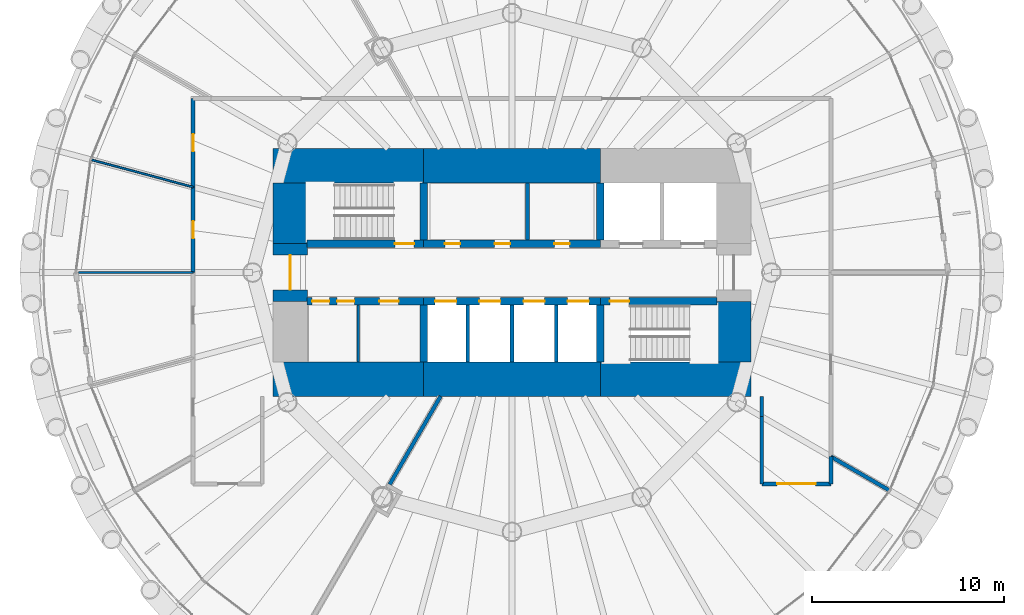
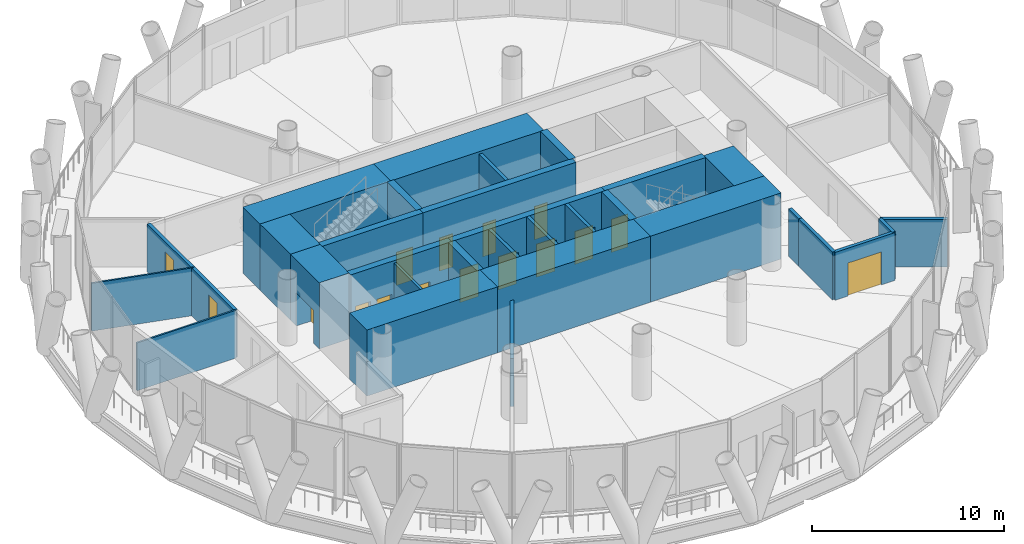
# One storey, part 9 of 14: 32 walls, 16 doors, 16 openings.
"""IFC4 building model written with IfcOpenShell, lengths in metres."""

from ifc_helpers import new_model, si_unit, direction, frame, frame_2d, origin, place, context, subcontext, project, spatial, rectangle, extrude, material, layer, layer_set, type_object, element, fill, save


model = new_model("IFC4")

# Units and contexts
model_context = context("Model", 3, precision=1e-05, world=origin(), true_north=direction((0.0, 1.0)))
body_context = subcontext(model_context, "Body", "Model", "MODEL_VIEW")
ifc_project = project(units=[si_unit("LENGTHUNIT", "METRE"), si_unit("AREAUNIT", "SQUARE_METRE"), si_unit("VOLUMEUNIT", "CUBIC_METRE"), si_unit("PLANEANGLEUNIT", "RADIAN"), si_unit("MASSUNIT", "GRAM", prefix="KILO")], contexts=[model_context])

# Site, building, storey
site_placement = place(None, origin())
site = spatial("IfcSite", under=ifc_project, at=site_placement, CompositionType="ELEMENT")
building_placement = place(site_placement, origin())
building = spatial("IfcBuilding", under=site, at=building_placement, Name="Qaws Media Tower", CompositionType="ELEMENT")
storey_placement = place(building_placement, frame((0.0, 0.0, 126.800048828125)))
storey = spatial("IfcBuildingStorey", under=building, at=storey_placement, Name="L28", CompositionType="ELEMENT", Elevation=126.800048828125)

# Wall, opening, door
ifc_material_1 = material(Name="Concrete C60/75", Category="concrete")
ifc_layer_1 = layer(ifc_material_1, 0.39990234375)
ifc_layer_set_1 = layer_set([ifc_layer_1], Name="Core inner wall 400")
wall_type_1 = type_object("IfcWallType", Name="Core inner wall 400", PredefinedType="SHEAR", material=ifc_layer_set_1)
wall_1_placement = place(storey_placement, frame((49.330078125, 51.5, 0.0), z_axis=(0.0, 0.0, 1.0), x_axis=(1.0, 0.0, 0.0)))
wall_1 = element("IfcWall", 1, at=wall_1_placement, inside=storey, type_object=wall_type_1, Name="W321 SW4 core wall SPNW L28", PredefinedType="SHEAR", context=body_context, shape_type="SweptSolid", body=[
    extrude(rectangle(XDim=6.06982421875, YDim=0.39990234375, at=frame_2d((3.034912109375, 0.0))), origin(), (0.0, 0.0, 1.0), 4.199951171875),
])
opening_1_placement = place(wall_1_placement, frame((4.570068359375, 0.0, 0.0)))
opening_1 = element("IfcOpeningElement", 2, at=opening_1_placement, cuts=wall_1, Name="Opening D1", PredefinedType="OPENING", context=body_context, shape_type="SweptSolid", body=[
    extrude(rectangle(XDim=1.0, YDim=2.10009765625, at=frame_2d((0.5, 1.050048828125))), frame((0.0, 0.2099609375, 0.0), z_axis=(0.0, -1.0, 0.0), x_axis=(1.0, 0.0, 0.0)), (0.0, 0.0, 1.0), 0.419921875),
])
ifc_material_2 = material(Name="Steel, fire rated", Category="steel")
door_type_1 = type_object("IfcDoorType", Name="Stair door 1000 FD120", OperationType="SINGLE_SWING_LEFT", PredefinedType="DOOR", material=ifc_material_2)
door_1_placement = place(opening_1_placement, origin())
door_1 = element("IfcDoor", 3, at=door_1_placement, inside=storey, type_object=door_type_1, Name="D1 stair S1 door L28 in wall W321", OperationType="SINGLE_SWING_LEFT", OverallHeight=2.10009765625, OverallWidth=1.0, PredefinedType="DOOR", context=body_context, shape_type="SweptSolid", body=[
    extrude(rectangle(XDim=1.0, YDim=2.10009765625, at=frame_2d((0.5, 1.050048828125))), frame((0.0, 0.02490234375, 0.0), z_axis=(0.0, -1.0, 0.0), x_axis=(1.0, 0.0, 0.0)), (0.0, 0.0, 1.0), 0.050048828125),
])
fill(opening_1, door_1)

# Wall, openings, doors
wall_2_placement = place(storey_placement, frame((55.39990234375, 51.5, 0.0), z_axis=(0.0, 0.0, 1.0), x_axis=(1.0, 0.0, 0.0)))
wall_2 = element("IfcWall", 4, at=wall_2_placement, inside=storey, type_object=wall_type_1, Name="W314 SW4 core wall SPN L28", PredefinedType="SHEAR", context=body_context, shape_type="SweptSolid", body=[
    extrude(rectangle(XDim=9.2001953125, YDim=0.39990234375, at=frame_2d((4.60009765625, 0.0))), origin(), (0.0, 0.0, 1.0), 4.199951171875),
])
opening_2_placement = place(wall_2_placement, frame((1.10009765625, 0.0, 0.0)))
opening_2 = element("IfcOpeningElement", 5, at=opening_2_placement, cuts=wall_2, Name="Opening D23", PredefinedType="OPENING", context=body_context, shape_type="SweptSolid", body=[
    extrude(rectangle(XDim=0.800048828125, YDim=2.10009765625, at=frame_2d((0.39990234375, 1.050048828125))), frame((0.0, 0.2099609375, 0.0), z_axis=(0.0, -1.0, 0.0), x_axis=(1.0, 0.0, 0.0)), (0.0, 0.0, 1.0), 0.419921875),
])
opening_3_placement = place(wall_2_placement, frame((3.699951171875, 0.0, 0.0)))
opening_3 = element("IfcOpeningElement", 6, at=opening_3_placement, cuts=wall_2, Name="Opening D23", PredefinedType="OPENING", context=body_context, shape_type="SweptSolid", body=[
    extrude(rectangle(XDim=0.800048828125, YDim=2.10009765625, at=frame_2d((0.39990234375, 1.050048828125))), frame((0.0, 0.2099609375, 0.0), z_axis=(0.0, -1.0, 0.0), x_axis=(1.0, 0.0, 0.0)), (0.0, 0.0, 1.0), 0.419921875),
])
opening_4_placement = place(wall_2_placement, frame((6.800048828125, 0.0, 0.0)))
opening_4 = element("IfcOpeningElement", 7, at=opening_4_placement, cuts=wall_2, Name="Opening D23", PredefinedType="OPENING", context=body_context, shape_type="SweptSolid", body=[
    extrude(rectangle(XDim=0.800048828125, YDim=2.10009765625, at=frame_2d((0.39990234375, 1.050048828125))), frame((0.0, 0.2099609375, 0.0), z_axis=(0.0, -1.0, 0.0), x_axis=(1.0, 0.0, 0.0)), (0.0, 0.0, 1.0), 0.419921875),
])
ifc_material_3 = material(Name="Steel, fire rated", Category="steel")
door_type_2 = type_object("IfcDoorType", Name="Core room door 800x2100", OperationType="SINGLE_SWING_LEFT", PredefinedType="DOOR", material=ifc_material_3)
door_2_placement = place(opening_2_placement, origin())
door_2 = element("IfcDoor", 8, at=door_2_placement, inside=storey, type_object=door_type_2, Name="D23 Gents toilets door L28 1 in wall W314", OperationType="SINGLE_SWING_LEFT", OverallHeight=2.10009765625, OverallWidth=0.800048828125, PredefinedType="DOOR", context=body_context, shape_type="SweptSolid", body=[
    extrude(rectangle(XDim=0.800048828125, YDim=2.10009765625, at=frame_2d((0.39990234375, 1.050048828125))), frame((0.0, 0.02490234375, 0.0), z_axis=(0.0, -1.0, 0.0), x_axis=(1.0, 0.0, 0.0)), (0.0, 0.0, 1.0), 0.050048828125),
])
fill(opening_2, door_2)
door_3_placement = place(opening_3_placement, origin())
door_3 = element("IfcDoor", 9, at=door_3_placement, inside=storey, type_object=door_type_2, Name="D23 Gents toilets door L28 2 in wall W314", OperationType="SINGLE_SWING_LEFT", OverallHeight=2.10009765625, OverallWidth=0.800048828125, PredefinedType="DOOR", context=body_context, shape_type="SweptSolid", body=[
    extrude(rectangle(XDim=0.800048828125, YDim=2.10009765625, at=frame_2d((0.39990234375, 1.050048828125))), frame((0.0, 0.02490234375, 0.0), z_axis=(0.0, -1.0, 0.0), x_axis=(1.0, 0.0, 0.0)), (0.0, 0.0, 1.0), 0.050048828125),
])
fill(opening_3, door_3)
door_4_placement = place(opening_4_placement, origin())
door_4 = element("IfcDoor", 10, at=door_4_placement, inside=storey, type_object=door_type_2, Name="D23 Ladies toilets door L28 in wall W314", OperationType="SINGLE_SWING_LEFT", OverallHeight=2.10009765625, OverallWidth=0.800048828125, PredefinedType="DOOR", context=body_context, shape_type="SweptSolid", body=[
    extrude(rectangle(XDim=0.800048828125, YDim=2.10009765625, at=frame_2d((0.39990234375, 1.050048828125))), frame((0.0, 0.02490234375, 0.0), z_axis=(0.0, -1.0, 0.0), x_axis=(1.0, 0.0, 0.0)), (0.0, 0.0, 1.0), 0.050048828125),
])
fill(opening_4, door_4)

wall_3_placement = place(storey_placement, frame((49.330078125, 48.5, 0.0), z_axis=(0.0, 0.0, 1.0), x_axis=(1.0, 0.0, 0.0)))
wall_3 = element("IfcWall", 11, at=wall_3_placement, inside=storey, type_object=wall_type_1, Name="W320 SW4 core wall SPSW L28", PredefinedType="SHEAR", context=body_context, shape_type="SweptSolid", body=[
    extrude(rectangle(XDim=6.06982421875, YDim=0.39990234375, at=frame_2d((3.034912109375, 0.0))), origin(), (0.0, 0.0, 1.0), 4.199951171875),
])
opening_5_placement = place(wall_3_placement, frame((0.27001953125, 0.0, 0.0)))
opening_5 = element("IfcOpeningElement", 12, at=opening_5_placement, cuts=wall_3, Name="Opening D3", PredefinedType="OPENING", context=body_context, shape_type="SweptSolid", body=[
    extrude(rectangle(XDim=0.89990234375, YDim=2.10009765625, at=frame_2d((0.449951171875, 1.050048828125))), frame((0.0, 0.2099609375, 0.0), z_axis=(0.0, -1.0, 0.0), x_axis=(1.0, 0.0, 0.0)), (0.0, 0.0, 1.0), 0.419921875),
])
opening_6_placement = place(wall_3_placement, frame((1.570068359375, 0.0, 0.0)))
opening_6 = element("IfcOpeningElement", 13, at=opening_6_placement, cuts=wall_3, Name="Opening D3", PredefinedType="OPENING", context=body_context, shape_type="SweptSolid", body=[
    extrude(rectangle(XDim=0.89990234375, YDim=2.10009765625, at=frame_2d((0.449951171875, 1.050048828125))), frame((0.0, 0.2099609375, 0.0), z_axis=(0.0, -1.0, 0.0), x_axis=(1.0, 0.0, 0.0)), (0.0, 0.0, 1.0), 0.419921875),
])
opening_7_placement = place(wall_3_placement, frame((3.77001953125, 0.0, 0.0)))
opening_7 = element("IfcOpeningElement", 14, at=opening_7_placement, cuts=wall_3, Name="Opening D4", PredefinedType="OPENING", context=body_context, shape_type="SweptSolid", body=[
    extrude(rectangle(XDim=1.0, YDim=2.10009765625, at=frame_2d((0.5, 1.050048828125))), frame((0.0, 0.2099609375, 0.0), z_axis=(0.0, -1.0, 0.0), x_axis=(1.0, 0.0, 0.0)), (0.0, 0.0, 1.0), 0.419921875),
])
ifc_material_4 = material(Name="Timber veneered", Category="wood")
door_type_3 = type_object("IfcDoorType", Name="Accessible WC door 1000", OperationType="SLIDING_TO_LEFT", PredefinedType="DOOR", material=ifc_material_4)
door_5_placement = place(opening_7_placement, origin())
door_5 = element("IfcDoor", 15, at=door_5_placement, inside=storey, type_object=door_type_3, Name="D4 toilet door 3 L28 in wall W320", OperationType="SLIDING_TO_LEFT", OverallHeight=2.10009765625, OverallWidth=1.0, PredefinedType="DOOR", context=body_context, shape_type="SweptSolid", body=[
    extrude(rectangle(XDim=1.0, YDim=2.10009765625, at=frame_2d((0.5, 1.050048828125))), frame((0.0, 0.02490234375, 0.0), z_axis=(0.0, -1.0, 0.0), x_axis=(1.0, 0.0, 0.0)), (0.0, 0.0, 1.0), 0.050048828125),
])
fill(opening_7, door_5)
ifc_material_5 = material(Name="Timber veneered", Category="wood")
door_type_4 = type_object("IfcDoorType", Name="Toilet door 900", OperationType="SINGLE_SWING_RIGHT", PredefinedType="DOOR", material=ifc_material_5)
door_6_placement = place(opening_5_placement, origin())
door_6 = element("IfcDoor", 16, at=door_6_placement, inside=storey, type_object=door_type_4, Name="D3 toilet door 1 L28 in wall W320", OperationType="SINGLE_SWING_RIGHT", OverallHeight=2.10009765625, OverallWidth=0.89990234375, PredefinedType="DOOR", context=body_context, shape_type="SweptSolid", body=[
    extrude(rectangle(XDim=0.89990234375, YDim=2.10009765625, at=frame_2d((0.449951171875, 1.050048828125))), frame((0.0, 0.02490234375, 0.0), z_axis=(0.0, -1.0, 0.0), x_axis=(1.0, 0.0, 0.0)), (0.0, 0.0, 1.0), 0.050048828125),
])
fill(opening_5, door_6)
door_7_placement = place(opening_6_placement, origin())
door_7 = element("IfcDoor", 17, at=door_7_placement, inside=storey, type_object=door_type_4, Name="D3 toilet door 2 L28 in wall W320", OperationType="SINGLE_SWING_RIGHT", OverallHeight=2.10009765625, OverallWidth=0.89990234375, PredefinedType="DOOR", context=body_context, shape_type="SweptSolid", body=[
    extrude(rectangle(XDim=0.89990234375, YDim=2.10009765625, at=frame_2d((0.449951171875, 1.050048828125))), frame((0.0, 0.02490234375, 0.0), z_axis=(0.0, -1.0, 0.0), x_axis=(1.0, 0.0, 0.0)), (0.0, 0.0, 1.0), 0.050048828125),
])
fill(opening_6, door_7)

wall_4_placement = place(storey_placement, frame((55.39990234375, 48.5, 0.0), z_axis=(0.0, 0.0, 1.0), x_axis=(1.0, 0.0, 0.0)))
wall_4 = element("IfcWall", 18, at=wall_4_placement, inside=storey, type_object=wall_type_1, Name="W313 SW4 core wall SPS L28", PredefinedType="SHEAR", context=body_context, shape_type="SweptSolid", body=[
    extrude(rectangle(XDim=9.2001953125, YDim=0.39990234375, at=frame_2d((4.60009765625, 0.0))), origin(), (0.0, 0.0, 1.0), 4.199951171875),
])
opening_8_placement = place(wall_4_placement, frame((0.60009765625, 0.0, 0.0)))
opening_8 = element("IfcOpeningElement", 19, at=opening_8_placement, cuts=wall_4, Name="Opening LD", PredefinedType="OPENING", context=body_context, shape_type="SweptSolid", body=[
    extrude(rectangle(XDim=1.10009765625, YDim=2.10009765625, at=frame_2d((0.550048828125, 1.050048828125))), frame((0.0, 0.2099609375, 0.0), z_axis=(0.0, -1.0, 0.0), x_axis=(1.0, 0.0, 0.0)), (0.0, 0.0, 1.0), 0.419921875),
])
opening_9_placement = place(wall_4_placement, frame((2.89990234375, 0.0, 0.0)))
opening_9 = element("IfcOpeningElement", 20, at=opening_9_placement, cuts=wall_4, Name="Opening LD", PredefinedType="OPENING", context=body_context, shape_type="SweptSolid", body=[
    extrude(rectangle(XDim=1.10009765625, YDim=2.10009765625, at=frame_2d((0.550048828125, 1.050048828125))), frame((0.0, 0.2099609375, 0.0), z_axis=(0.0, -1.0, 0.0), x_axis=(1.0, 0.0, 0.0)), (0.0, 0.0, 1.0), 0.419921875),
])
opening_10_placement = place(wall_4_placement, frame((5.199951171875, 0.0, 0.0)))
opening_10 = element("IfcOpeningElement", 21, at=opening_10_placement, cuts=wall_4, Name="Opening LD", PredefinedType="OPENING", context=body_context, shape_type="SweptSolid", body=[
    extrude(rectangle(XDim=1.10009765625, YDim=2.10009765625, at=frame_2d((0.550048828125, 1.050048828125))), frame((0.0, 0.2099609375, 0.0), z_axis=(0.0, -1.0, 0.0), x_axis=(1.0, 0.0, 0.0)), (0.0, 0.0, 1.0), 0.419921875),
])
opening_11_placement = place(wall_4_placement, frame((7.5, 0.0, 0.0)))
opening_11 = element("IfcOpeningElement", 22, at=opening_11_placement, cuts=wall_4, Name="Opening LD", PredefinedType="OPENING", context=body_context, shape_type="SweptSolid", body=[
    extrude(rectangle(XDim=1.10009765625, YDim=2.10009765625, at=frame_2d((0.550048828125, 1.050048828125))), frame((0.0, 0.2099609375, 0.0), z_axis=(0.0, -1.0, 0.0), x_axis=(1.0, 0.0, 0.0)), (0.0, 0.0, 1.0), 0.419921875),
])
ifc_material_6 = material(Name="Steel, fire rated", Category="steel")
door_type_5 = type_object("IfcDoorType", Name="Lift landing door 1100", OperationType="SLIDING_TO_LEFT", PredefinedType="DOOR", material=ifc_material_6)
door_8_placement = place(opening_8_placement, origin())
door_8 = element("IfcDoor", 23, at=door_8_placement, inside=storey, type_object=door_type_5, Name="P5 landing door L28 in wall W313", OperationType="SLIDING_TO_LEFT", OverallHeight=2.10009765625, OverallWidth=1.10009765625, PredefinedType="DOOR", context=body_context, shape_type="SweptSolid", body=[
    extrude(rectangle(XDim=1.10009765625, YDim=2.10009765625, at=frame_2d((0.550048828125, 1.050048828125))), frame((0.0, 0.02490234375, 0.0), z_axis=(0.0, -1.0, 0.0), x_axis=(1.0, 0.0, 0.0)), (0.0, 0.0, 1.0), 0.050048828125),
])
fill(opening_8, door_8)
door_9_placement = place(opening_9_placement, origin())
door_9 = element("IfcDoor", 24, at=door_9_placement, inside=storey, type_object=door_type_5, Name="P6 landing door L28 in wall W313", OperationType="SLIDING_TO_LEFT", OverallHeight=2.10009765625, OverallWidth=1.10009765625, PredefinedType="DOOR", context=body_context, shape_type="SweptSolid", body=[
    extrude(rectangle(XDim=1.10009765625, YDim=2.10009765625, at=frame_2d((0.550048828125, 1.050048828125))), frame((0.0, 0.02490234375, 0.0), z_axis=(0.0, -1.0, 0.0), x_axis=(1.0, 0.0, 0.0)), (0.0, 0.0, 1.0), 0.050048828125),
])
fill(opening_9, door_9)
door_10_placement = place(opening_10_placement, origin())
door_10 = element("IfcDoor", 25, at=door_10_placement, inside=storey, type_object=door_type_5, Name="P7 landing door L28 in wall W313", OperationType="SLIDING_TO_LEFT", OverallHeight=2.10009765625, OverallWidth=1.10009765625, PredefinedType="DOOR", context=body_context, shape_type="SweptSolid", body=[
    extrude(rectangle(XDim=1.10009765625, YDim=2.10009765625, at=frame_2d((0.550048828125, 1.050048828125))), frame((0.0, 0.02490234375, 0.0), z_axis=(0.0, -1.0, 0.0), x_axis=(1.0, 0.0, 0.0)), (0.0, 0.0, 1.0), 0.050048828125),
])
fill(opening_10, door_10)
door_11_placement = place(opening_11_placement, origin())
door_11 = element("IfcDoor", 26, at=door_11_placement, inside=storey, type_object=door_type_5, Name="P8 landing door L28 in wall W313", OperationType="SLIDING_TO_LEFT", OverallHeight=2.10009765625, OverallWidth=1.10009765625, PredefinedType="DOOR", context=body_context, shape_type="SweptSolid", body=[
    extrude(rectangle(XDim=1.10009765625, YDim=2.10009765625, at=frame_2d((0.550048828125, 1.050048828125))), frame((0.0, 0.02490234375, 0.0), z_axis=(0.0, -1.0, 0.0), x_axis=(1.0, 0.0, 0.0)), (0.0, 0.0, 1.0), 0.050048828125),
])
fill(opening_11, door_11)

# Wall, opening, door
wall_5_placement = place(storey_placement, frame((64.60009765625, 48.5, 0.0), z_axis=(0.0, 0.0, 1.0), x_axis=(1.0, 0.0, 0.0)))
wall_5 = element("IfcWall", 27, at=wall_5_placement, inside=storey, type_object=wall_type_1, Name="W325 SW4 core wall SPSE L28", PredefinedType="SHEAR", context=body_context, shape_type="SweptSolid", body=[
    extrude(rectangle(XDim=6.06982421875, YDim=0.39990234375, at=frame_2d((3.034912109375, 0.0))), origin(), (0.0, 0.0, 1.0), 4.199951171875),
])
opening_12_placement = place(wall_5_placement, frame((0.5, 0.0, 0.0)))
opening_12 = element("IfcOpeningElement", 28, at=opening_12_placement, cuts=wall_5, Name="Opening D1", PredefinedType="OPENING", context=body_context, shape_type="SweptSolid", body=[
    extrude(rectangle(XDim=1.0, YDim=2.10009765625, at=frame_2d((0.5, 1.050048828125))), frame((0.0, 0.2099609375, 0.0), z_axis=(0.0, -1.0, 0.0), x_axis=(1.0, 0.0, 0.0)), (0.0, 0.0, 1.0), 0.419921875),
])
door_12_placement = place(opening_12_placement, origin())
door_12 = element("IfcDoor", 29, at=door_12_placement, inside=storey, type_object=door_type_1, Name="D1 stair S2 door L28 in wall W325", OperationType="SINGLE_SWING_LEFT", OverallHeight=2.10009765625, OverallWidth=1.0, PredefinedType="DOOR", context=body_context, shape_type="SweptSolid", body=[
    extrude(rectangle(XDim=1.0, YDim=2.10009765625, at=frame_2d((0.5, 1.050048828125))), frame((0.0, 0.02490234375, 0.0), z_axis=(0.0, -1.0, 0.0), x_axis=(1.0, 0.0, 0.0)), (0.0, 0.0, 1.0), 0.050048828125),
])
fill(opening_12, door_12)

# Walls
for number, where, z_axis, x_axis, name in (
    (30, (55.39990234375, 51.679931640625, 0.0), (0.0, 0.0, 1.0), (0.0, 1.0, 0.0), "W323 SW4 core wall XNW L28"),
    (31, (64.60009765625, 51.679931640625, 0.0), (0.0, 0.0, 1.0), (0.0, 1.0, 0.0), "W327 SW4 core wall XNE L28"),
    (32, (55.39990234375, 48.320068359375, 0.0), (0.0, 0.0, 1.0), (0.0, -1.0, 0.0), "W322 SW4 core wall XSW L28"),
    (33, (64.60009765625, 48.320068359375, 0.0), (0.0, 0.0, 1.0), (0.0, -1.0, 0.0), "W324 SW4 core wall XSE L28"),
):
    element("IfcWall", number, at=place(storey_placement, frame(where, z_axis=z_axis, x_axis=x_axis)), inside=storey, type_object=wall_type_1, Name=name, PredefinedType="SHEAR", context=body_context, shape_type="SweptSolid", body=[
        extrude(rectangle(XDim=2.989990234375, YDim=0.39990234375, at=frame_2d((1.4951171875, 0.0))), origin(), (0.0, 0.0, 1.0), 4.199951171875),
    ])
ifc_material_7 = material(Name="Concrete C60/75", Category="concrete")
ifc_layer_2 = layer(ifc_material_7, 1.800048828125)
ifc_layer_set_2 = layer_set([ifc_layer_2], Name="Core wall 1800")
wall_type_2 = type_object("IfcWallType", Name="Core wall 1800", PredefinedType="SHEAR", material=ifc_layer_set_2)
wall_6_placement = place(storey_placement, frame((47.550048828125, 55.550048828125, 0.0), z_axis=(0.0, 0.0, 1.0), x_axis=(1.0, 0.0, 0.0)))
element("IfcWall", 34, at=wall_6_placement, inside=storey, type_object=wall_type_2, Name="W417 SW11 core wall NW L28", PredefinedType="SHEAR", context=body_context, shape_type="SweptSolid", body=[
    extrude(rectangle(XDim=7.849853515625, YDim=1.800048828125, at=frame_2d((3.9248046875, 0.0))), origin(), (0.0, 0.0, 1.0), 4.199951171875),
])
wall_7_placement = place(storey_placement, frame((55.39990234375, 55.550048828125, 0.0), z_axis=(0.0, 0.0, 1.0), x_axis=(1.0, 0.0, 0.0)))
element("IfcWall", 35, at=wall_7_placement, inside=storey, type_object=wall_type_2, Name="W421 SW11 core wall N L28", PredefinedType="SHEAR", context=body_context, shape_type="SweptSolid", body=[
    extrude(rectangle(XDim=9.2001953125, YDim=1.800048828125, at=frame_2d((4.60009765625, 0.0))), origin(), (0.0, 0.0, 1.0), 4.199951171875),
])
wall_8_placement = place(storey_placement, frame((47.550048828125, 44.449951171875, 0.0), z_axis=(0.0, 0.0, 1.0), x_axis=(1.0, 0.0, 0.0)))
element("IfcWall", 36, at=wall_8_placement, inside=storey, type_object=wall_type_2, Name="W416 SW11 core wall SW L28", PredefinedType="SHEAR", context=body_context, shape_type="SweptSolid", body=[
    extrude(rectangle(XDim=7.849853515625, YDim=1.800048828125, at=frame_2d((3.9248046875, 0.0))), origin(), (0.0, 0.0, 1.0), 4.199951171875),
])
wall_9_placement = place(storey_placement, frame((55.39990234375, 44.449951171875, 0.0), z_axis=(0.0, 0.0, 1.0), x_axis=(1.0, 0.0, 0.0)))
element("IfcWall", 37, at=wall_9_placement, inside=storey, type_object=wall_type_2, Name="W420 SW11 core wall S L28", PredefinedType="SHEAR", context=body_context, shape_type="SweptSolid", body=[
    extrude(rectangle(XDim=9.2001953125, YDim=1.800048828125, at=frame_2d((4.60009765625, 0.0))), origin(), (0.0, 0.0, 1.0), 4.199951171875),
])
wall_10_placement = place(storey_placement, frame((64.60009765625, 44.449951171875, 0.0), z_axis=(0.0, 0.0, 1.0), x_axis=(1.0, 0.0, 0.0)))
element("IfcWall", 38, at=wall_10_placement, inside=storey, type_object=wall_type_2, Name="W422 SW11 core wall SE L28", PredefinedType="SHEAR", context=body_context, shape_type="SweptSolid", body=[
    extrude(rectangle(XDim=7.849853515625, YDim=1.800048828125, at=frame_2d((3.9248046875, 0.0))), origin(), (0.0, 0.0, 1.0), 4.199951171875),
])
wall_11_placement = place(storey_placement, frame((71.550048828125, 45.330078125, 0.0), z_axis=(0.0, 0.0, 1.0), x_axis=(0.0, 1.0, 0.0)))
element("IfcWall", 39, at=wall_11_placement, inside=storey, type_object=wall_type_2, Name="W424 SW11 core wall ES L28", PredefinedType="SHEAR", context=body_context, shape_type="SweptSolid", body=[
    extrude(rectangle(XDim=3.169921875, YDim=1.800048828125, at=frame_2d((1.5849609375, 0.0))), origin(), (0.0, 0.0, 1.0), 4.199951171875),
])

# Wall, opening, door
wall_12_placement = place(storey_placement, frame((48.449951171875, 48.5, 0.0), z_axis=(0.0, 0.0, 1.0), x_axis=(0.0, 1.0, 0.0)))
wall_12 = element("IfcWall", 40, at=wall_12_placement, inside=storey, type_object=wall_type_2, Name="W426 SW11 core wall W L28", PredefinedType="SHEAR", context=body_context, shape_type="SweptSolid", body=[
    extrude(rectangle(XDim=3.0, YDim=1.800048828125, at=frame_2d((1.5, 0.0))), origin(), (0.0, 0.0, 1.0), 4.199951171875),
])
opening_13_placement = place(wall_12_placement, frame((0.60009765625, 0.0, 0.0)))
opening_13 = element("IfcOpeningElement", 41, at=opening_13_placement, cuts=wall_12, Name="Opening D2", PredefinedType="OPENING", context=body_context, shape_type="SweptSolid", body=[
    extrude(rectangle(XDim=1.800048828125, YDim=2.10009765625, at=frame_2d((0.89990234375, 1.050048828125))), frame((0.0, 0.909912109375, 0.0), z_axis=(0.0, -1.0, 0.0), x_axis=(1.0, 0.0, 0.0)), (0.0, 0.0, 1.0), 1.820068359375),
])
ifc_material_8 = material(Name="Steel and glass, fire rated", Category="steel")
door_type_6 = type_object("IfcDoorType", Name="Lobby door pair 1800 FD60", OperationType="DOUBLE_DOOR_DOUBLE_SWING", PredefinedType="DOOR", material=ifc_material_8)
door_13_placement = place(opening_13_placement, origin())
door_13 = element("IfcDoor", 42, at=door_13_placement, inside=storey, type_object=door_type_6, Name="D2 core lobby door W L28 in wall W426", OperationType="DOUBLE_DOOR_DOUBLE_SWING", OverallHeight=2.10009765625, OverallWidth=1.800048828125, PredefinedType="DOOR", context=body_context, shape_type="SweptSolid", body=[
    extrude(rectangle(XDim=1.800048828125, YDim=2.10009765625, at=frame_2d((0.89990234375, 1.050048828125))), frame((0.0, 0.02490234375, 0.0), z_axis=(0.0, -1.0, 0.0), x_axis=(1.0, 0.0, 0.0)), (0.0, 0.0, 1.0), 0.050048828125),
])
fill(opening_13, door_13)

# Walls
wall_13_placement = place(storey_placement, frame((48.449951171875, 51.5, 0.0), z_axis=(0.0, 0.0, 1.0), x_axis=(0.0, 1.0, 0.0)))
element("IfcWall", 43, at=wall_13_placement, inside=storey, type_object=wall_type_2, Name="W419 SW11 core wall WN L28", PredefinedType="SHEAR", context=body_context, shape_type="SweptSolid", body=[
    extrude(rectangle(XDim=3.169921875, YDim=1.800048828125, at=frame_2d((1.5849609375, 0.0))), origin(), (0.0, 0.0, 1.0), 4.199951171875),
])
ifc_material_9 = material(Name="Gypsum board on 70 metal studs, single layer each side", Category="gypsum")
ifc_layer_3 = layer(ifc_material_9, 0.10009765625)
ifc_layer_set_3 = layer_set([ifc_layer_3], Name="Office stud partition 100")
wall_type_3 = type_object("IfcWallType", Name="Office stud partition 100", PredefinedType="PARTITIONING", material=ifc_layer_set_3)
wall_14_placement = place(storey_placement, frame((43.405517578125, 54.446533203125, 0.0), z_axis=(0.0, 0.0, 1.0), x_axis=(-0.965933336906, 0.258791013471, 0.0)))
element("IfcWall", 44, at=wall_14_placement, inside=storey, type_object=wall_type_3, Name="W664 IW4 partition L28", PredefinedType="PARTITIONING", context=body_context, shape_type="SweptSolid", body=[
    extrude(rectangle(XDim=5.480224609375, YDim=0.10009765625, at=frame_2d((2.740234375, 0.0))), origin(), (0.0, 0.0, 1.0), 3.0400390625),
])
wall_15_placement = place(storey_placement, frame((43.39990234375, 50.0, 0.0), z_axis=(0.0, 0.0, 1.0), x_axis=(-1.0, 0.0, 0.0)))
element("IfcWall", 45, at=wall_15_placement, inside=storey, type_object=wall_type_3, Name="W662 IW4 partition L28", PredefinedType="PARTITIONING", context=body_context, shape_type="SweptSolid", body=[
    extrude(rectangle(XDim=5.9599609375, YDim=0.10009765625, at=frame_2d((2.97998046875, 0.0))), origin(), (0.0, 0.0, 1.0), 3.0400390625),
])
ifc_material_10 = material(Name="Gypsum board on galvanised metal studs, acoustic double stud, deflection head", Category="gypsum")
ifc_layer_4 = layer(ifc_material_10, 0.199951171875)
ifc_layer_set_4 = layer_set([ifc_layer_4], Name="Room partition 200")
wall_type_4 = type_object("IfcWallType", Name="Room partition 200", PredefinedType="PARTITIONING", material=ifc_layer_set_4)
wall_16_placement = place(storey_placement, frame((76.60009765625, 40.416015625, 0.0), z_axis=(0.0, 0.0, 1.0), x_axis=(0.0, -1.0, 0.0)))
element("IfcWall", 46, at=wall_16_placement, inside=storey, type_object=wall_type_4, Name="W1263 IW3 partition L28", PredefinedType="PARTITIONING", context=body_context, shape_type="SweptSolid", body=[
    extrude(rectangle(XDim=1.416015625, YDim=0.199951171875, at=frame_2d((0.7080078125, 0.0))), origin(), (0.0, 0.0, 1.0), 3.0400390625),
])

# Wall, opening, door
wall_17_placement = place(storey_placement, frame((76.60009765625, 39.0, 0.0), z_axis=(0.0, 0.0, 1.0), x_axis=(-1.0, 0.0, 0.0)))
wall_17 = element("IfcWall", 47, at=wall_17_placement, inside=storey, type_object=wall_type_4, Name="W1262 IW3 partition L28", PredefinedType="PARTITIONING", context=body_context, shape_type="SweptSolid", body=[
    extrude(rectangle(XDim=3.60009765625, YDim=0.199951171875, at=frame_2d((1.800048828125, 0.0))), origin(), (0.0, 0.0, 1.0), 3.0400390625),
])
opening_14_placement = place(wall_17_placement, frame((0.800048828125, 0.0, 0.0)))
opening_14 = element("IfcOpeningElement", 48, at=opening_14_placement, cuts=wall_17, Name="Opening D6", PredefinedType="OPENING", context=body_context, shape_type="SweptSolid", body=[
    extrude(rectangle(XDim=2.0, YDim=2.10009765625, at=frame_2d((1.0, 1.050048828125))), frame((0.0, 0.10986328125, 0.0), z_axis=(0.0, -1.0, 0.0), x_axis=(1.0, 0.0, 0.0)), (0.0, 0.0, 1.0), 0.219970703125),
])
ifc_material_11 = material(Name="Steel, acoustic, fire rated", Category="steel")
door_type_7 = type_object("IfcDoorType", Name="Room door pair 2000", OperationType="DOUBLE_DOOR_DOUBLE_SWING", PredefinedType="DOOR", material=ifc_material_11)
door_14_placement = place(opening_14_placement, origin())
door_14 = element("IfcDoor", 49, at=door_14_placement, inside=storey, type_object=door_type_7, Name="D6 Finance office door L28 in wall W1262", OperationType="DOUBLE_DOOR_DOUBLE_SWING", OverallHeight=2.10009765625, OverallWidth=2.0, PredefinedType="DOOR", context=body_context, shape_type="SweptSolid", body=[
    extrude(rectangle(XDim=2.0, YDim=2.10009765625, at=frame_2d((1.0, 1.050048828125))), frame((0.0, 0.02490234375, 0.0), z_axis=(0.0, -1.0, 0.0), x_axis=(1.0, 0.0, 0.0)), (0.0, 0.0, 1.0), 0.050048828125),
])
fill(opening_14, door_14)

# Walls
wall_18_placement = place(storey_placement, frame((73.0, 39.0, 0.0), z_axis=(0.0, 0.0, 1.0), x_axis=(0.0, 1.0, 0.0)))
element("IfcWall", 50, at=wall_18_placement, inside=storey, type_object=wall_type_4, Name="W1228 IW3 partition L28", PredefinedType="PARTITIONING", context=body_context, shape_type="SweptSolid", body=[
    extrude(rectangle(XDim=3.494384765625, YDim=0.199951171875, at=frame_2d((1.7470703125, 0.0))), origin(), (0.0, 0.0, 1.0), 3.0400390625),
])
wall_19_placement = place(storey_placement, frame((73.0, 42.494384765625, 0.0), z_axis=(0.0, 0.0, 1.0), x_axis=(0.0, 1.0, 0.0)))
element("IfcWall", 51, at=wall_19_placement, inside=storey, type_object=wall_type_4, Name="W1229 IW3 partition L28", PredefinedType="PARTITIONING", context=body_context, shape_type="SweptSolid", body=[
    extrude(rectangle(XDim=1.0556640625, YDim=0.199951171875, at=frame_2d((0.52783203125, 0.0))), origin(), (0.0, 0.0, 1.0), 3.0400390625),
])

# Wall, opening, door
wall_20_placement = place(storey_placement, frame((43.39990234375, 50.0, 0.0), z_axis=(0.0, 0.0, 1.0), x_axis=(0.0, 1.0, 0.0)))
wall_20 = element("IfcWall", 52, at=wall_20_placement, inside=storey, type_object=wall_type_4, Name="W1248 IW3 partition L28", PredefinedType="PARTITIONING", context=body_context, shape_type="SweptSolid", body=[
    extrude(rectangle(XDim=4.447998046875, YDim=0.199951171875, at=frame_2d((2.22412109375, 0.0))), origin(), (0.0, 0.0, 1.0), 3.0400390625),
])
opening_15_placement = place(wall_20_placement, frame((1.77392578125, 0.0, 0.0)))
opening_15 = element("IfcOpeningElement", 53, at=opening_15_placement, cuts=wall_20, Name="Opening D12", PredefinedType="OPENING", context=body_context, shape_type="SweptSolid", body=[
    extrude(rectangle(XDim=0.89990234375, YDim=2.39990234375, at=frame_2d((0.449951171875, 1.199951171875))), frame((0.0, 0.10986328125, 0.0), z_axis=(0.0, -1.0, 0.0), x_axis=(1.0, 0.0, 0.0)), (0.0, 0.0, 1.0), 0.219970703125),
])
ifc_material_12 = material(Name="Timber veneered, full height", Category="wood")
door_type_8 = type_object("IfcDoorType", Name="Office door 900x2400", OperationType="SINGLE_SWING_LEFT", PredefinedType="DOOR", material=ifc_material_12)
door_15_placement = place(opening_15_placement, origin())
door_15 = element("IfcDoor", 54, at=door_15_placement, inside=storey, type_object=door_type_8, Name="D12 Office door L28 in wall W1248", OperationType="SINGLE_SWING_LEFT", OverallHeight=2.39990234375, OverallWidth=0.89990234375, PredefinedType="DOOR", context=body_context, shape_type="SweptSolid", body=[
    extrude(rectangle(XDim=0.89990234375, YDim=2.39990234375, at=frame_2d((0.449951171875, 1.199951171875))), frame((0.0, 0.02490234375, 0.0), z_axis=(0.0, -1.0, 0.0), x_axis=(1.0, 0.0, 0.0)), (0.0, 0.0, 1.0), 0.050048828125),
])
fill(opening_15, door_15)

wall_21_placement = place(storey_placement, frame((43.39990234375, 54.447998046875, 0.0), z_axis=(0.0, 0.0, 1.0), x_axis=(0.0, 1.0, 0.0)))
wall_21 = element("IfcWall", 55, at=wall_21_placement, inside=storey, type_object=wall_type_4, Name="W1249 IW3 partition L28", PredefinedType="PARTITIONING", context=body_context, shape_type="SweptSolid", body=[
    extrude(rectangle(XDim=4.60205078125, YDim=0.199951171875, at=frame_2d((2.301025390625, 0.0))), origin(), (0.0, 0.0, 1.0), 3.0400390625),
])
opening_16_placement = place(wall_21_placement, frame((1.85107421875, 0.0, 0.0)))
opening_16 = element("IfcOpeningElement", 56, at=opening_16_placement, cuts=wall_21, Name="Opening D12", PredefinedType="OPENING", context=body_context, shape_type="SweptSolid", body=[
    extrude(rectangle(XDim=0.89990234375, YDim=2.39990234375, at=frame_2d((0.449951171875, 1.199951171875))), frame((0.0, 0.10986328125, 0.0), z_axis=(0.0, -1.0, 0.0), x_axis=(1.0, 0.0, 0.0)), (0.0, 0.0, 1.0), 0.219970703125),
])
door_16_placement = place(opening_16_placement, origin())
door_16 = element("IfcDoor", 57, at=door_16_placement, inside=storey, type_object=door_type_8, Name="D12 Office door L28 in wall W1249", OperationType="SINGLE_SWING_LEFT", OverallHeight=2.39990234375, OverallWidth=0.89990234375, PredefinedType="DOOR", context=body_context, shape_type="SweptSolid", body=[
    extrude(rectangle(XDim=0.89990234375, YDim=2.39990234375, at=frame_2d((0.449951171875, 1.199951171875))), frame((0.0, 0.02490234375, 0.0), z_axis=(0.0, -1.0, 0.0), x_axis=(1.0, 0.0, 0.0)), (0.0, 0.0, 1.0), 0.050048828125),
])
fill(opening_16, door_16)

# Walls
wall_22_placement = place(storey_placement, frame((56.280029296875, 43.556884765625, 0.0), z_axis=(0.0, 0.0, 1.0), x_axis=(-0.49999933383, -0.866025788398, 0.0)))
element("IfcWall", 58, at=wall_22_placement, inside=storey, type_object=wall_type_4, Name="W1259 IW3 partition L28", PredefinedType="PARTITIONING", context=body_context, shape_type="SweptSolid", body=[
    extrude(rectangle(XDim=5.2919921875, YDim=0.199951171875, at=frame_2d((2.64599609375, 0.0))), origin(), (0.0, 0.0, 1.0), 3.0400390625),
])
wall_23_placement = place(storey_placement, frame((76.593017578125, 40.419921875, 0.0), z_axis=(0.0, 0.0, 1.0), x_axis=(0.866019471182, -0.500010275428, 0.0)))
element("IfcWall", 59, at=wall_23_placement, inside=storey, type_object=wall_type_4, Name="W1272 IW3 partition L28", PredefinedType="PARTITIONING", context=body_context, shape_type="SweptSolid", body=[
    extrude(rectangle(XDim=3.5, YDim=0.199951171875, at=frame_2d((1.75, 0.0))), origin(), (0.0, 0.0, 1.0), 3.0400390625),
])
wall_24_placement = place(storey_placement, frame((60.800048828125, 51.699951171875, 0.0), z_axis=(0.0, 0.0, 1.0), x_axis=(0.0, 1.0, 0.0)))
element("IfcWall", 60, at=wall_24_placement, inside=storey, type_object=wall_type_4, Name="W1260 IW3 core room partition 1 L28", PredefinedType="PARTITIONING", context=body_context, shape_type="SweptSolid", body=[
    extrude(rectangle(XDim=2.949951171875, YDim=0.199951171875, at=frame_2d((1.47509765625, 0.0))), origin(), (0.0, 0.0, 1.0), 4.0400390625),
])
ifc_material_13 = material(Name="Fire-rated gypsum board shaft wall on galvanised metal studs, deflection head", Category="gypsum")
ifc_layer_5 = layer(ifc_material_13, 0.199951171875)
ifc_layer_set_5 = layer_set([ifc_layer_5], Name="Shaft wall 200")
wall_type_5 = type_object("IfcWallType", Name="Shaft wall 200", PredefinedType="PARTITIONING", material=ifc_layer_set_5)
for number, where, z_axis, x_axis, name in (
    (61, (57.699951171875, 45.35009765625, 0.0), (0.0, 0.0, 1.0), (0.0, 1.0, 0.0), "W1860 IW1 shaft wall S1 L28"),
    (62, (60.0, 45.35009765625, 0.0), (0.0, 0.0, 1.0), (0.0, 1.0, 0.0), "W1861 IW1 shaft wall S2 L28"),
    (63, (62.300048828125, 45.35009765625, 0.0), (0.0, 0.0, 1.0), (0.0, 1.0, 0.0), "W1862 IW1 shaft wall S3 L28"),
):
    element("IfcWall", number, at=place(storey_placement, frame(where, z_axis=z_axis, x_axis=x_axis)), inside=storey, type_object=wall_type_5, Name=name, PredefinedType="PARTITIONING", context=body_context, shape_type="SweptSolid", body=[
        extrude(rectangle(XDim=2.949951171875, YDim=0.199951171875, at=frame_2d((1.47509765625, 0.0))), origin(), (0.0, 0.0, 1.0), 4.199951171875),
    ])
ifc_material_14 = material(Name="Gypsum board on galvanised metal studs, deflection head", Category="gypsum")
ifc_layer_6 = layer(ifc_material_14, 0.14990234375)
ifc_layer_set_6 = layer_set([ifc_layer_6], Name="WC partition 150")
wall_type_6 = type_object("IfcWallType", Name="WC partition 150", PredefinedType="PARTITIONING", material=ifc_layer_set_6)
wall_25_placement = place(storey_placement, frame((52.0, 45.35009765625, 0.0), z_axis=(0.0, 0.0, 1.0), x_axis=(0.0, 1.0, 0.0)))
element("IfcWall", 64, at=wall_25_placement, inside=storey, type_object=wall_type_6, Name="W1914 IW2 toilet partition 1 L28", PredefinedType="PARTITIONING", context=body_context, shape_type="SweptSolid", body=[
    extrude(rectangle(XDim=2.949951171875, YDim=0.14990234375, at=frame_2d((1.47509765625, 0.0))), origin(), (0.0, 0.0, 1.0), 4.0400390625),
])

save(model, "model.ifc")
